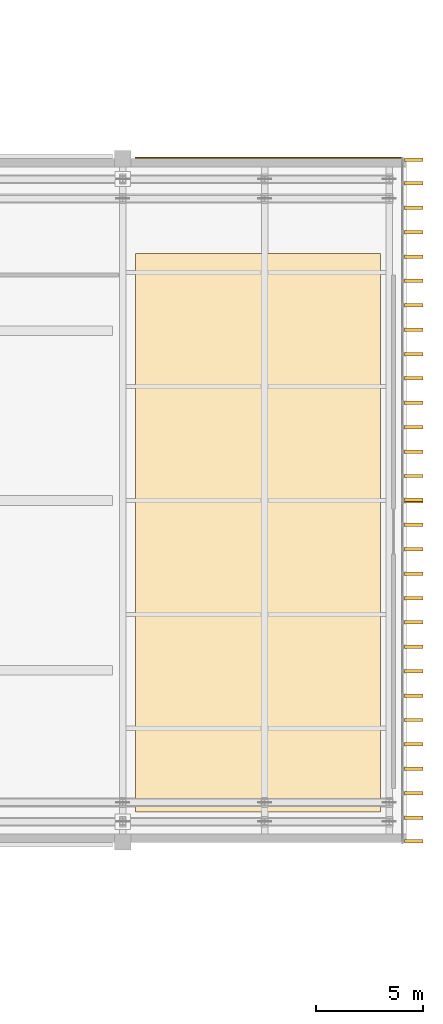
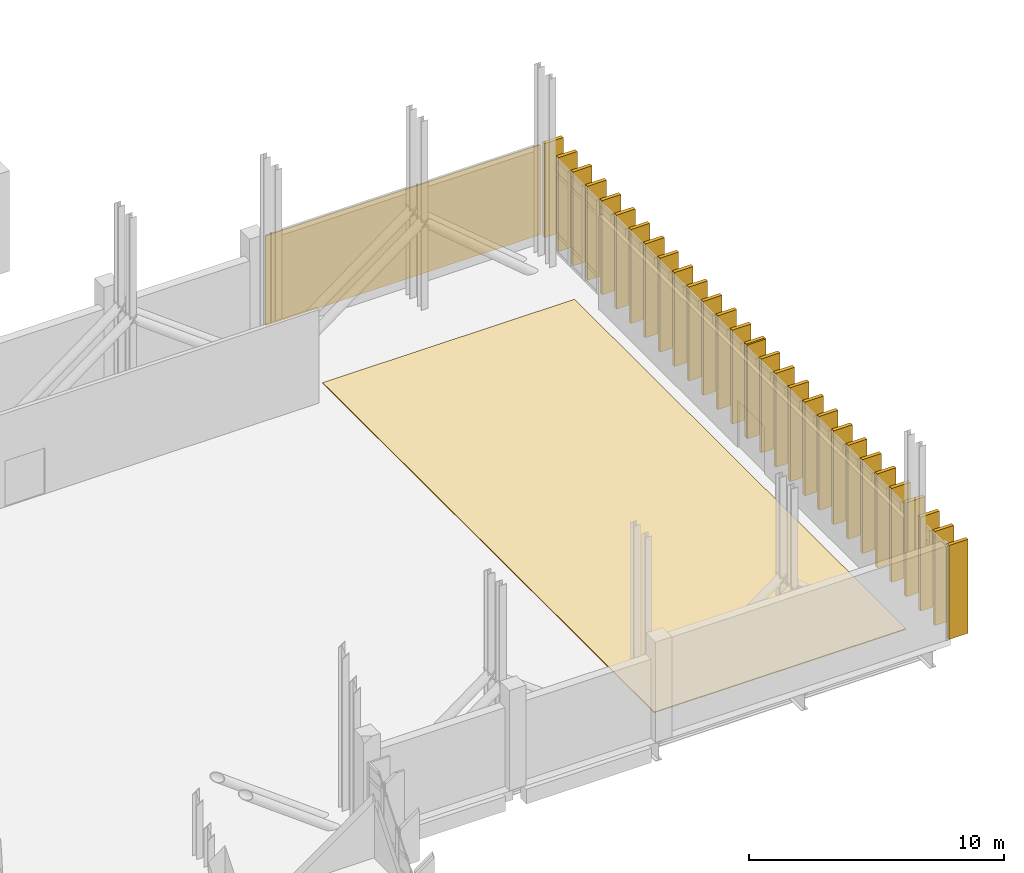
# One storey, part 73 of 73: 32 coverings.
"""IFC4 building model written with IfcOpenShell, lengths in metres."""

from ifc_helpers import new_model, si_unit, direction, frame, origin, origin_2d, place, context, subcontext, project, spatial, polyline, rectangle, outline, extrude, material, layer, layer_set, type_object, element, save


model = new_model("IFC4")

# Units and contexts
model_context = context("Model", 3, precision=1e-05, world=origin(), true_north=direction((0.0, 1.0)))
body_context = subcontext(model_context, "Body", "Model", "MODEL_VIEW")
ifc_project = project(units=[si_unit("LENGTHUNIT", "METRE"), si_unit("AREAUNIT", "SQUARE_METRE"), si_unit("VOLUMEUNIT", "CUBIC_METRE"), si_unit("PLANEANGLEUNIT", "RADIAN"), si_unit("MASSUNIT", "GRAM", prefix="KILO")], contexts=[model_context])

# Site, building, storey
site_placement = place(None, origin())
site = spatial("IfcSite", under=ifc_project, at=site_placement, CompositionType="ELEMENT")
building_placement = place(site_placement, origin())
building = spatial("IfcBuilding", under=site, at=building_placement, Name="Kelarvand Opera House", CompositionType="ELEMENT")
storey_placement = place(building_placement, frame((0.0, 0.0, 10.199951171875)))
storey = spatial("IfcBuildingStorey", under=building, at=storey_placement, Name="L02", CompositionType="ELEMENT", Elevation=10.199951171875)

# Coverings
ifc_material_1 = material(Name="Azarshahr buff travertine stone panels", Category="masonry")
ifc_layer_1 = layer(ifc_material_1, 0.06005859375, Name="Azarshahr buff travertine stone panels", Category="masonry")
ifc_layer_set_1 = layer_set([ifc_layer_1], Name="Azarshahr buff travertine stone panels")
covering_type_1 = type_object("IfcCoveringType", Name="Azarshahr Honed Travertine Rainscreen Cladding 60mm", PredefinedType="CLADDING", material=ifc_layer_set_1)
covering_1_placement = place(storey_placement, frame((148.58740234375, 78.446044921875, 0.10009765625), z_axis=(0.0, 0.0, 1.0), x_axis=(1.0, 0.0, 0.0)))
element("IfcCovering", 1, at=covering_1_placement, inside=storey, type_object=covering_type_1, Name="V1 Travertine Facade Cladding 3", PredefinedType="CLADDING", context=body_context, shape_type="SweptSolid", body=[
    extrude(rectangle(XDim=12.425048828125, YDim=0.06005859375, at=origin_2d()), origin(), (0.0, 0.0, 1.0), 4.300048828125),
])
ifc_material_2 = material(Name="Honed Azarshahr travertine stone flooring", Category="masonry")
ifc_layer_2 = layer(ifc_material_2, 0.0400390625, Name="Honed Azarshahr travertine stone flooring", Category="masonry")
ifc_layer_set_2 = layer_set([ifc_layer_2], Name="Honed Azarshahr travertine stone flooring")
covering_type_2 = type_object("IfcCoveringType", Name="Honed Azarshahr Travertine Foyer Flooring 40mm", PredefinedType="FLOORING", material=ifc_layer_set_2)
covering_2_placement = place(storey_placement, origin())
element("IfcCovering", 2, at=covering_2_placement, inside=storey, type_object=covering_type_2, Name="V1 L02 Architectural Flooring 9", PredefinedType="FLOORING", context=body_context, shape_type="SweptSolid", body=[
    extrude(outline(polyline([(142.39990234375, 48.0), (153.800048828125, 48.0), (153.800048828125, 74.0), (142.39990234375, 74.0), (142.39990234375, 48.0)])), origin(), (0.0, 0.0, 1.0), 0.0400390625),
])
ifc_layer_3 = layer(ifc_material_1, 0.159912109375, Name="Azarshahr buff travertine stone panels", Category="masonry")
ifc_layer_set_3 = layer_set([ifc_layer_3], Name="Azarshahr buff travertine stone panels")
covering_type_3 = type_object("IfcCoveringType", Name="Vertical Travertine-Bronze Architectural Fin 850x160", PredefinedType="CLADDING", material=ifc_layer_set_3)
for number, where, z_axis, x_axis, name in (
    (3, (155.340087890625, 78.3525390625, 0.0), (0.0, 0.0, 1.0), (1.0, 0.0, 0.0), "V1 East Facade Vertical Fin 57"),
    (4, (155.340087890625, 77.25537109375, 0.0), (0.0, 0.0, 1.0), (1.0, 0.0, 0.0), "V1 East Facade Vertical Fin 58"),
    (5, (155.340087890625, 76.12060546875, 0.0), (0.0, 0.0, 1.0), (1.0, 0.0, 0.0), "V1 East Facade Vertical Fin 59"),
    (6, (155.340087890625, 74.98583984375, 0.0), (0.0, 0.0, 1.0), (1.0, 0.0, 0.0), "V1 East Facade Vertical Fin 60"),
    (7, (155.340087890625, 73.85107421875, 0.0), (0.0, 0.0, 1.0), (1.0, 0.0, 0.0), "V1 East Facade Vertical Fin 61"),
    (8, (155.340087890625, 72.71630859375, 0.0), (0.0, 0.0, 1.0), (1.0, 0.0, 0.0), "V1 East Facade Vertical Fin 62"),
    (9, (155.340087890625, 71.581787109375, 0.0), (0.0, 0.0, 1.0), (1.0, 0.0, 0.0), "V1 East Facade Vertical Fin 63"),
    (10, (155.340087890625, 70.447021484375, 0.0), (0.0, 0.0, 1.0), (1.0, 0.0, 0.0), "V1 East Facade Vertical Fin 64"),
    (11, (155.340087890625, 69.312255859375, 0.0), (0.0, 0.0, 1.0), (1.0, 0.0, 0.0), "V1 East Facade Vertical Fin 65"),
    (12, (155.340087890625, 68.177490234375, 0.0), (0.0, 0.0, 1.0), (1.0, 0.0, 0.0), "V1 East Facade Vertical Fin 66"),
    (13, (155.340087890625, 67.04296875, 0.0), (0.0, 0.0, 1.0), (1.0, 0.0, 0.0), "V1 East Facade Vertical Fin 67"),
    (14, (155.340087890625, 65.908203125, 0.0), (0.0, 0.0, 1.0), (1.0, 0.0, 0.0), "V1 East Facade Vertical Fin 68"),
    (15, (155.340087890625, 64.7734375, 0.0), (0.0, 0.0, 1.0), (1.0, 0.0, 0.0), "V1 East Facade Vertical Fin 69"),
    (16, (155.340087890625, 63.638671875, 0.0), (0.0, 0.0, 1.0), (1.0, 0.0, 0.0), "V1 East Facade Vertical Fin 70"),
    (17, (155.340087890625, 62.54150390625, 0.0), (0.0, 0.0, 1.0), (1.0, 0.0, 0.0), "V1 East Facade Vertical Fin 71"),
    (18, (155.340087890625, 62.46240234375, 0.0), (0.0, 0.0, 1.0), (1.0, 0.0, 0.0), "V1 East Facade Vertical Fin 72"),
    (19, (155.340087890625, 61.364990234375, 0.0), (0.0, 0.0, 1.0), (1.0, 0.0, 0.0), "V1 East Facade Vertical Fin 73"),
    (20, (155.340087890625, 60.22998046875, 0.0), (0.0, 0.0, 1.0), (1.0, 0.0, 0.0), "V1 East Facade Vertical Fin 74"),
    (21, (155.340087890625, 59.094970703125, 0.0), (0.0, 0.0, 1.0), (1.0, 0.0, 0.0), "V1 East Facade Vertical Fin 75"),
    (22, (155.340087890625, 57.9599609375, 0.0), (0.0, 0.0, 1.0), (1.0, 0.0, 0.0), "V1 East Facade Vertical Fin 76"),
    (23, (155.340087890625, 56.824951171875, 0.0), (0.0, 0.0, 1.0), (1.0, 0.0, 0.0), "V1 East Facade Vertical Fin 77"),
    (24, (155.340087890625, 55.68994140625, 0.0), (0.0, 0.0, 1.0), (1.0, 0.0, 0.0), "V1 East Facade Vertical Fin 78"),
    (25, (155.340087890625, 54.554931640625, 0.0), (0.0, 0.0, 1.0), (1.0, 0.0, 0.0), "V1 East Facade Vertical Fin 79"),
    (26, (155.340087890625, 53.419921875, 0.0), (0.0, 0.0, 1.0), (1.0, 0.0, 0.0), "V1 East Facade Vertical Fin 80"),
    (27, (155.340087890625, 52.284912109375, 0.0), (0.0, 0.0, 1.0), (1.0, 0.0, 0.0), "V1 East Facade Vertical Fin 81"),
    (28, (155.340087890625, 51.14990234375, 0.0), (0.0, 0.0, 1.0), (1.0, 0.0, 0.0), "V1 East Facade Vertical Fin 82"),
    (29, (155.340087890625, 50.014892578125, 0.0), (0.0, 0.0, 1.0), (1.0, 0.0, 0.0), "V1 East Facade Vertical Fin 83"),
    (30, (155.340087890625, 48.8798828125, 0.0), (0.0, 0.0, 1.0), (1.0, 0.0, 0.0), "V1 East Facade Vertical Fin 84"),
    (31, (155.340087890625, 47.7451171875, 0.0), (0.0, 0.0, 1.0), (1.0, 0.0, 0.0), "V1 East Facade Vertical Fin 85"),
    (32, (155.340087890625, 46.6474609375, 0.0), (0.0, 0.0, 1.0), (1.0, 0.0, 0.0), "V1 East Facade Vertical Fin 86"),
):
    element("IfcCovering", number, at=place(storey_placement, frame(where, z_axis=z_axis, x_axis=x_axis)), inside=storey, type_object=covering_type_3, Name=name, PredefinedType="CLADDING", context=body_context, shape_type="SweptSolid", body=[
        extrude(rectangle(XDim=0.85009765625, YDim=0.159912109375, at=origin_2d()), origin(), (0.0, 0.0, 1.0), 4.5),
    ])

save(model, "model.ifc")
